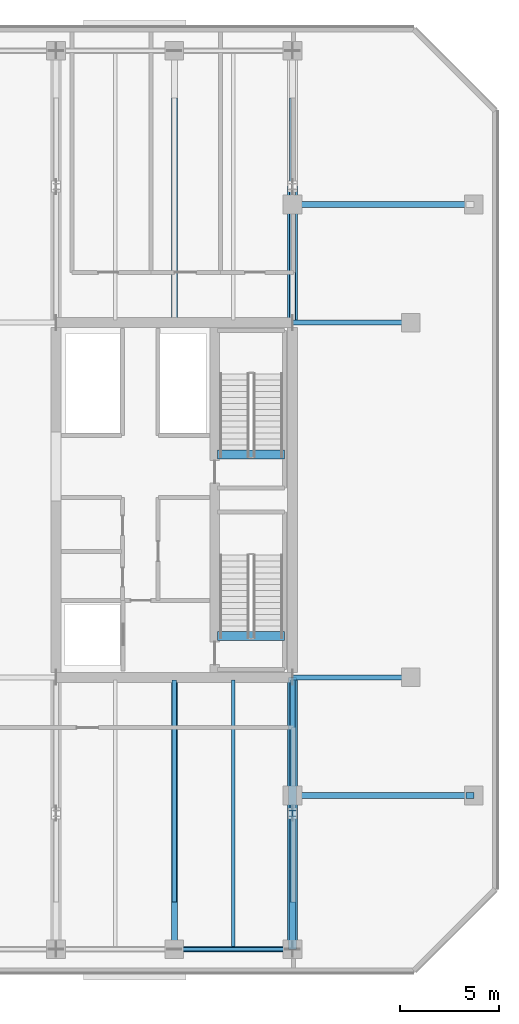
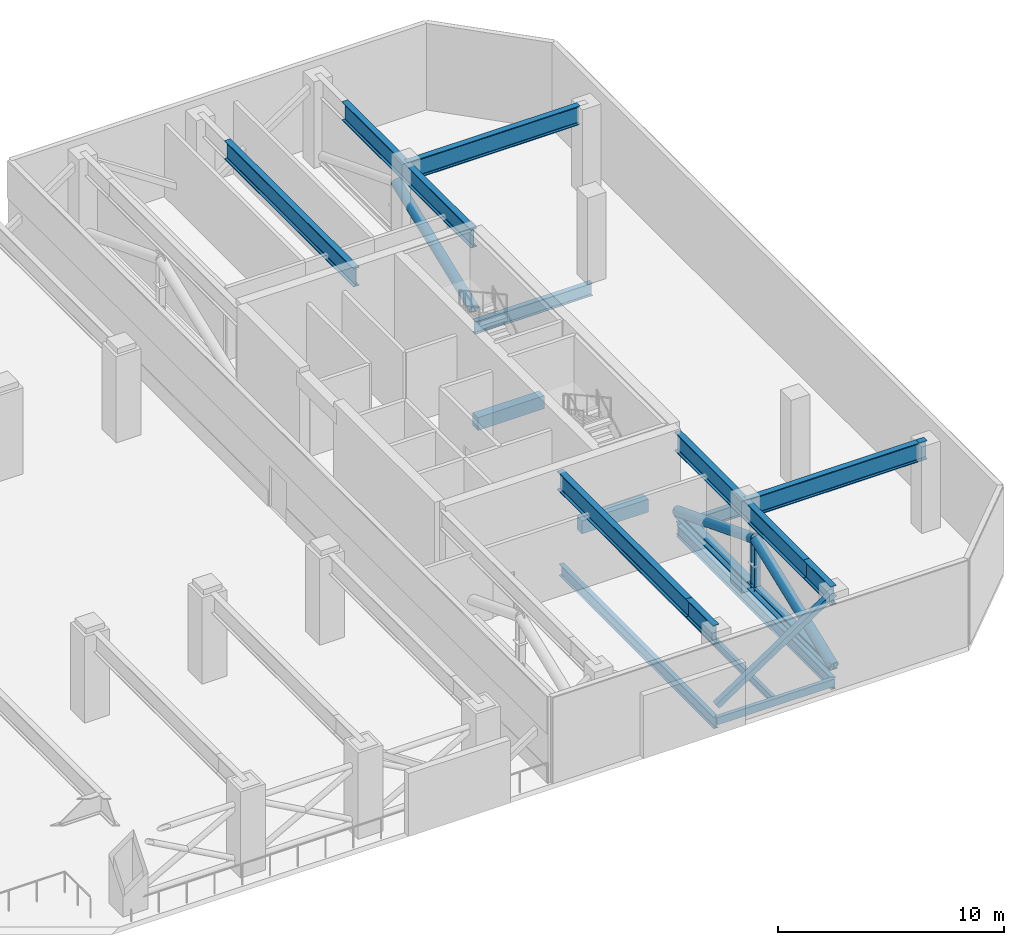
# One storey, part 7 of 21: 17 beams, 6 members.
"""IFC4 building model written with IfcOpenShell, lengths in metres."""

from ifc_helpers import new_model, si_unit, direction, frame, origin, origin_2d, place, context, subcontext, project, spatial, rectangle, hollow_rectangle, hollow_circle, i_section, extrude, material, material_profile, profile_set, type_object, element, save


model = new_model("IFC4")

# Units and contexts
model_context = context("Model", 3, precision=1e-05, world=origin(), true_north=direction((0.0, 1.0)))
body_context = subcontext(model_context, "Body", "Model", "MODEL_VIEW")
ifc_project = project(units=[si_unit("LENGTHUNIT", "METRE"), si_unit("AREAUNIT", "SQUARE_METRE"), si_unit("VOLUMEUNIT", "CUBIC_METRE"), si_unit("PLANEANGLEUNIT", "RADIAN"), si_unit("MASSUNIT", "GRAM", prefix="KILO")], contexts=[model_context])

# Site, building, storey
site_placement = place(None, origin())
site = spatial("IfcSite", under=ifc_project, at=site_placement, CompositionType="ELEMENT")
building_placement = place(site_placement, origin())
building = spatial("IfcBuilding", under=site, at=building_placement, Name="Tanjung Sevakor Pilgrim Tower", CompositionType="ELEMENT")
storey_placement = place(building_placement, frame((0.0, 0.0, 123.090087890625)))
storey = spatial("IfcBuildingStorey", under=building, at=storey_placement, Name="L34", CompositionType="ELEMENT", Elevation=123.090087890625)

# Beams
ifc_material_1 = material(Name="Steel S355J2", Category="steel")
ifc_material_profile_1 = material_profile(ifc_material_1, i_section(OverallWidth=0.25439453125, OverallDepth=0.6875, WebThickness=0.01318359375, FlangeThickness=0.02099609375, FilletRadius=0.01513671875, at=origin_2d()))
ifc_profile_set_1 = profile_set([ifc_material_profile_1], Name="Steel S355J2")
beam_type_1 = type_object("IfcBeamType", Name="BM-B-G2-UB_686x254x152", PredefinedType="BEAM", material=ifc_profile_set_1)
for number, where, z_axis, x_axis, name in (
    (1, (90.0, 24.60009765625, -0.623779296875), (1.0, 0.0, 0.0), (0.0, 1.0, 0.0), "L34 Primary Floor Girder MAIN Y246-09"),
    (2, (90.0, 42.60009765625, -0.623779296875), (1.0, 0.0, 0.0), (0.0, 1.0, 0.0), "L34 Primary Floor Girder MAIN Y426-09"),
):
    element("IfcBeam", number, at=place(storey_placement, frame(where, z_axis=z_axis, x_axis=x_axis)), inside=storey, type_object=beam_type_1, Name=name, PredefinedType="BEAM", context=body_context, shape_type="SweptSolid", body=[
        extrude(i_section(OverallWidth=0.25439453125, OverallDepth=0.6875, WebThickness=0.01318359375, FlangeThickness=0.02099609375, FilletRadius=0.01513671875, at=origin_2d()), origin(), (0.0, 0.0, 1.0), 6.0),
    ])
ifc_material_2 = material(Name="Steel S355J2", Category="steel")
ifc_material_profile_2 = material_profile(ifc_material_2, i_section(OverallWidth=0.230224609375, OverallDepth=0.6171875, WebThickness=0.01318359375, FlangeThickness=0.022216796875, FilletRadius=0.0126953125, at=origin_2d()))
ifc_profile_set_2 = profile_set([ifc_material_profile_2], Name="Steel S355J2")
beam_type_2 = type_object("IfcBeamType", Name="BM-B-G3-UB_610x229x140", PredefinedType="BEAM", material=ifc_profile_set_2)
for number, where, z_axis, x_axis, name in (
    (3, (84.0, 10.800048828125, -0.588623046875), (0.0, 1.0, 0.0), (-1.0, 0.0, 0.0), "L34 MAIN Girder 041"),
    (4, (90.0, 10.800048828125, -0.588623046875), (0.0, 1.0, 0.0), (-1.0, 0.0, 0.0), "L34 MAIN Girder 045"),
):
    element("IfcBeam", number, at=place(storey_placement, frame(where, z_axis=z_axis, x_axis=x_axis)), inside=storey, type_object=beam_type_2, Name=name, PredefinedType="BEAM", context=body_context, shape_type="SweptSolid", body=[
        extrude(i_section(OverallWidth=0.230224609375, OverallDepth=0.6171875, WebThickness=0.01318359375, FlangeThickness=0.022216796875, FilletRadius=0.0126953125, at=origin_2d()), origin(), (0.0, 0.0, 1.0), 13.672607421875),
    ])
ifc_material_3 = material(Name="Steel S460M", Category="steel")
ifc_material_profile_3 = material_profile(ifc_material_3, i_section(OverallWidth=0.302001953125, OverallDepth=1.008056640625, WebThickness=0.02099609375, FlangeThickness=0.0400390625, FilletRadius=0.030029296875, at=origin_2d()))
ifc_profile_set_3 = profile_set([ifc_material_profile_3], Name="Steel S460M")
beam_type_3 = type_object("IfcBeamType", Name="BM-B-G7-HE_1000M", PredefinedType="BEAM", material=ifc_profile_set_3)
beam_1_placement = place(storey_placement, frame((90.0, 18.60009765625, 4.166015625), z_axis=(1.0, 0.0, 0.0), x_axis=(0.0, 1.0, 0.0)))
element("IfcBeam", 5, at=beam_1_placement, inside=storey, type_object=beam_type_3, Name="L34 Short-End Setback Transfer Girder E Y18.6-1", PredefinedType="BEAM", context=body_context, shape_type="SweptSolid", body=[
    extrude(i_section(OverallWidth=0.302001953125, OverallDepth=1.008056640625, WebThickness=0.02099609375, FlangeThickness=0.0400390625, FilletRadius=0.030029296875, at=origin_2d()), origin(), (0.0, 0.0, 1.0), 8.800048828125),
])
beam_2_placement = place(storey_placement, frame((98.800048828125, 18.60009765625, 4.166015625), z_axis=(1.0, 0.0, 0.0), x_axis=(0.0, 1.0, 0.0)))
element("IfcBeam", 6, at=beam_2_placement, inside=storey, type_object=beam_type_3, Name="L34 Short-End Setback Transfer Girder E Y18.6-2", PredefinedType="BEAM", context=body_context, shape_type="SweptSolid", body=[
    extrude(i_section(OverallWidth=0.302001953125, OverallDepth=1.008056640625, WebThickness=0.02099609375, FlangeThickness=0.0400390625, FilletRadius=0.030029296875, at=origin_2d()), origin(), (0.0, 0.0, 1.0), 0.39990234375),
])
beam_3_placement = place(storey_placement, frame((90.0, 48.60009765625, 4.166015625), z_axis=(1.0, 0.0, 0.0), x_axis=(0.0, 1.0, 0.0)))
element("IfcBeam", 7, at=beam_3_placement, inside=storey, type_object=beam_type_3, Name="L34 Short-End Setback Transfer Girder E Y48.6-1", PredefinedType="BEAM", context=body_context, shape_type="SweptSolid", body=[
    extrude(i_section(OverallWidth=0.302001953125, OverallDepth=1.008056640625, WebThickness=0.02099609375, FlangeThickness=0.0400390625, FilletRadius=0.030029296875, at=origin_2d()), origin(), (0.0, 0.0, 1.0), 8.800048828125),
])
beam_4_placement = place(storey_placement, frame((84.0, 10.800048828125, 4.166015625), z_axis=(0.0, 1.0, 0.0), x_axis=(-1.0, 0.0, 0.0)))
element("IfcBeam", 8, at=beam_4_placement, inside=storey, type_object=beam_type_3, Name="L34 Setback Transfer Girder South X84-1", PredefinedType="BEAM", context=body_context, shape_type="SweptSolid", body=[
    extrude(i_section(OverallWidth=0.302001953125, OverallDepth=1.008056640625, WebThickness=0.02099609375, FlangeThickness=0.0400390625, FilletRadius=0.030029296875, at=origin_2d()), origin(), (0.0, 0.0, 1.0), 2.39990234375),
])
beam_5_placement = place(storey_placement, frame((84.0, 13.199951171875, 4.166015625), z_axis=(0.0, 1.0, 0.0), x_axis=(-1.0, 0.0, 0.0)))
element("IfcBeam", 9, at=beam_5_placement, inside=storey, type_object=beam_type_3, Name="L34 Setback Transfer Girder South X84-2", PredefinedType="BEAM", context=body_context, shape_type="SweptSolid", body=[
    extrude(i_section(OverallWidth=0.302001953125, OverallDepth=1.008056640625, WebThickness=0.02099609375, FlangeThickness=0.0400390625, FilletRadius=0.030029296875, at=origin_2d()), origin(), (0.0, 0.0, 1.0), 11.400146484375),
])
beam_6_placement = place(storey_placement, frame((84.0, 42.60009765625, 4.166015625), z_axis=(0.0, 1.0, 0.0), x_axis=(-1.0, 0.0, 0.0)))
element("IfcBeam", 10, at=beam_6_placement, inside=storey, type_object=beam_type_3, Name="L34 Setback Transfer Girder North X84-1", PredefinedType="BEAM", context=body_context, shape_type="SweptSolid", body=[
    extrude(i_section(OverallWidth=0.302001953125, OverallDepth=1.008056640625, WebThickness=0.02099609375, FlangeThickness=0.0400390625, FilletRadius=0.030029296875, at=origin_2d()), origin(), (0.0, 0.0, 1.0), 11.39990234375),
])
beam_7_placement = place(storey_placement, frame((90.0, 10.800048828125, 4.166015625), z_axis=(0.0, 1.0, 0.0), x_axis=(-1.0, 0.0, 0.0)))
element("IfcBeam", 11, at=beam_7_placement, inside=storey, type_object=beam_type_3, Name="L34 Setback Transfer Girder South X90-1", PredefinedType="BEAM", context=body_context, shape_type="SweptSolid", body=[
    extrude(i_section(OverallWidth=0.302001953125, OverallDepth=1.008056640625, WebThickness=0.02099609375, FlangeThickness=0.0400390625, FilletRadius=0.030029296875, at=origin_2d()), origin(), (0.0, 0.0, 1.0), 2.39990234375),
])
beam_8_placement = place(storey_placement, frame((90.0, 13.199951171875, 4.166015625), z_axis=(0.0, 1.0, 0.0), x_axis=(-1.0, 0.0, 0.0)))
element("IfcBeam", 12, at=beam_8_placement, inside=storey, type_object=beam_type_3, Name="L34 Setback Transfer Girder South X90-2", PredefinedType="BEAM", context=body_context, shape_type="SweptSolid", body=[
    extrude(i_section(OverallWidth=0.302001953125, OverallDepth=1.008056640625, WebThickness=0.02099609375, FlangeThickness=0.0400390625, FilletRadius=0.030029296875, at=origin_2d()), origin(), (0.0, 0.0, 1.0), 11.400146484375),
])
beam_9_placement = place(storey_placement, frame((90.0, 42.60009765625, 4.166015625), z_axis=(0.0, 1.0, 0.0), x_axis=(-1.0, 0.0, 0.0)))
element("IfcBeam", 13, at=beam_9_placement, inside=storey, type_object=beam_type_3, Name="L34 Setback Transfer Girder North X90-1", PredefinedType="BEAM", context=body_context, shape_type="SweptSolid", body=[
    extrude(i_section(OverallWidth=0.302001953125, OverallDepth=1.008056640625, WebThickness=0.02099609375, FlangeThickness=0.0400390625, FilletRadius=0.030029296875, at=origin_2d()), origin(), (0.0, 0.0, 1.0), 11.39990234375),
])
ifc_material_4 = material(Name="Steel S355J2", Category="steel")
ifc_material_profile_4 = material_profile(ifc_material_4, i_section(OverallWidth=0.1787109375, OverallDepth=0.409423828125, WebThickness=0.0087890625, FlangeThickness=0.014404296875, FilletRadius=0.01025390625, at=origin_2d()))
ifc_profile_set_4 = profile_set([ifc_material_profile_4], Name="Steel S355J2")
beam_type_4 = type_object("IfcBeamType", Name="BM-B-J3-UB_406x178x67", PredefinedType="JOIST", material=ifc_profile_set_4)
beam_10_placement = place(storey_placement, frame((87.0, 10.89990234375, -0.48486328125), z_axis=(0.0, 1.0, 0.0), x_axis=(-1.0, 0.0, 0.0)))
element("IfcBeam", 14, at=beam_10_placement, inside=storey, type_object=beam_type_4, Name="L34 MAIN Joist 043", PredefinedType="JOIST", context=body_context, shape_type="SweptSolid", body=[
    extrude(i_section(OverallWidth=0.1787109375, OverallDepth=0.409423828125, WebThickness=0.0087890625, FlangeThickness=0.014404296875, FilletRadius=0.01025390625, at=origin_2d()), origin(), (0.0, 0.0, 1.0), 13.57275390625),
])
ifc_material_5 = material(Name="Concrete C60/75", Category="concrete")
ifc_material_profile_5 = material_profile(ifc_material_5, rectangle(XDim=0.449951171875, YDim=0.699951171875, at=origin_2d()))
ifc_profile_set_5 = profile_set([ifc_material_profile_5], Name="Concrete C60/75")
beam_type_5 = type_object("IfcBeamType", Name="BM-B-LN3-RC-BM_450x700", PredefinedType="LINTEL", material=ifc_profile_set_5)
for number, where, z_axis, x_axis, name in (
    (15, (86.199951171875, 26.699951171875, -0.35009765625), (1.0, 0.0, 0.0), (0.0, 1.0, 0.0), "L34 TS-E1 Stair Threshold Beam"),
    (16, (86.199951171875, 35.89990234375, -0.35009765625), (1.0, 0.0, 0.0), (0.0, 1.0, 0.0), "L34 TS-E2 Stair Threshold Beam"),
):
    element("IfcBeam", number, at=place(storey_placement, frame(where, z_axis=z_axis, x_axis=x_axis)), inside=storey, type_object=beam_type_5, Name=name, PredefinedType="LINTEL", context=body_context, shape_type="SweptSolid", body=[
        extrude(rectangle(XDim=0.449951171875, YDim=0.699951171875, at=origin_2d()), origin(), (0.0, 0.0, 1.0), 3.400146484375),
    ])
ifc_material_6 = material(Name="Steel S355J2", Category="steel")
ifc_material_profile_6 = material_profile(ifc_material_6, hollow_rectangle(XDim=0.199951171875, YDim=0.39990234375, WallThickness=0.01611328125, at=origin_2d()))
ifc_profile_set_6 = profile_set([ifc_material_profile_6], Name="Steel S355J2")
beam_type_6 = type_object("IfcBeamType", Name="BM-B-SP2-RHS_400x200x16", PredefinedType="SPANDREL", material=ifc_profile_set_6)
beam_11_placement = place(storey_placement, frame((84.0, 10.800048828125, -0.47998046875), z_axis=(1.0, 0.0, 0.0), x_axis=(0.0, 1.0, 0.0)))
element("IfcBeam", 17, at=beam_11_placement, inside=storey, type_object=beam_type_6, Name="L34 Spandrel MAIN S-17", PredefinedType="SPANDREL", context=body_context, shape_type="SweptSolid", body=[
    extrude(hollow_rectangle(XDim=0.199951171875, YDim=0.39990234375, WallThickness=0.01611328125, at=origin_2d()), origin(), (0.0, 0.0, 1.0), 6.0),
])

# Members
ifc_material_7 = material(Name="Steel S460M", Category="steel")
ifc_material_profile_7 = material_profile(ifc_material_7, hollow_circle(Radius=0.25390625, WallThickness=0.02490234375, at=origin_2d()))
ifc_profile_set_7 = profile_set([ifc_material_profile_7], Name="Steel S460M")
member_type_1 = type_object("IfcMemberType", Name="MEM-M-BR3-CHS_508x25", PredefinedType="BRACE", material=ifc_profile_set_7)
member_1_placement = place(storey_placement, frame((90.0, 10.800048828125, 0.349853515625), z_axis=(0.0, 0.93170119451, 0.363225665597), x_axis=(-1.0, 0.0, 0.0)))
element("IfcMember", 18, at=member_1_placement, inside=storey, type_object=member_type_1, Name="OT-2 L34 Outrigger Truss Diagonal 1 X90 S", PredefinedType="BRACE", context=body_context, shape_type="SweptSolid", body=[
    extrude(hollow_circle(Radius=0.25390625, WallThickness=0.02490234375, at=origin_2d()), origin(), (0.0, 0.0, 1.0), 7.40576171875),
])
member_2_placement = place(storey_placement, frame((90.0, 17.699951171875, 3.039794921875), z_axis=(0.0, 0.931705543684, -0.36321450944), x_axis=(-1.0, 0.0, 0.0)))
element("IfcMember", 19, at=member_2_placement, inside=storey, type_object=member_type_1, Name="OT-2 L34 Outrigger Truss Diagonal 2 X90 S", PredefinedType="BRACE", context=body_context, shape_type="SweptSolid", body=[
    extrude(hollow_circle(Radius=0.25390625, WallThickness=0.02490234375, at=origin_2d()), origin(), (0.0, 0.0, 1.0), 7.406005859375),
])
member_3_placement = place(storey_placement, frame((90.0, 42.60009765625, 0.349853515625), z_axis=(0.0, 0.93170119451, 0.363225665597), x_axis=(-1.0, 0.0, 0.0)))
element("IfcMember", 20, at=member_3_placement, inside=storey, type_object=member_type_1, Name="OT-2 L34 Outrigger Truss Diagonal 1 X90 N", PredefinedType="BRACE", context=body_context, shape_type="SweptSolid", body=[
    extrude(hollow_circle(Radius=0.25390625, WallThickness=0.02490234375, at=origin_2d()), origin(), (0.0, 0.0, 1.0), 7.40576171875),
])
ifc_material_8 = material(Name="Steel S460M", Category="steel")
ifc_material_profile_8 = material_profile(ifc_material_8, hollow_rectangle(XDim=0.300048828125, YDim=0.300048828125, WallThickness=0.01611328125, at=origin_2d()))
ifc_profile_set_8 = profile_set([ifc_material_profile_8], Name="Steel S460M")
member_type_2 = type_object("IfcMemberType", Name="MEM-M-BR8-SHS_300x300x16", PredefinedType="BRACE", material=ifc_profile_set_8)
member_4_placement = place(storey_placement, frame((84.0, 10.800048828125, 0.349853515625), z_axis=(0.832940851568, 0.0, 0.553362031395), x_axis=(0.0, 1.0, 0.0)))
element("IfcMember", 21, at=member_4_placement, inside=storey, type_object=member_type_2, Name="BT-1 L34 Belt Truss Diagonal Brace S-07", PredefinedType="BRACE", context=body_context, shape_type="SweptSolid", body=[
    extrude(hollow_rectangle(XDim=0.300048828125, YDim=0.300048828125, WallThickness=0.01611328125, at=origin_2d()), origin(), (0.0, 0.0, 1.0), 7.203369140625),
])
ifc_material_9 = material(Name="Steel S460M", Category="steel")
ifc_material_profile_9 = material_profile(ifc_material_9, i_section(OverallWidth=0.39892578125, OverallDepth=0.3935546875, WebThickness=0.022705078125, FlangeThickness=0.03662109375, FilletRadius=0.01513671875, at=origin_2d()))
ifc_profile_set_9 = profile_set([ifc_material_profile_9], Name="Steel S460M")
member_type_3 = type_object("IfcMemberType", Name="MEM-M-CH3-UC_356x406x287", PredefinedType="CHORD", material=ifc_profile_set_9)
member_5_placement = place(storey_placement, frame((90.0, 10.800048828125, 0.349853515625), z_axis=(0.0, 1.0, 0.0), x_axis=(-1.0, 0.0, 0.0)))
element("IfcMember", 22, at=member_5_placement, inside=storey, type_object=member_type_3, Name="OT-1 L34 Outrigger Truss Chord X90 S", PredefinedType="CHORD", context=body_context, shape_type="SweptSolid", body=[
    extrude(i_section(OverallWidth=0.39892578125, OverallDepth=0.3935546875, WebThickness=0.022705078125, FlangeThickness=0.03662109375, FilletRadius=0.01513671875, at=origin_2d()), origin(), (0.0, 0.0, 1.0), 13.800048828125),
])
ifc_material_10 = material(Name="Steel S460M", Category="steel")
ifc_material_profile_10 = material_profile(ifc_material_10, i_section(OverallWidth=0.30908203125, OverallDepth=0.320556640625, WebThickness=0.013916015625, FlangeThickness=0.021728515625, FilletRadius=0.01513671875, at=origin_2d()))
ifc_profile_set_10 = profile_set([ifc_material_profile_10], Name="Steel S460M")
member_type_4 = type_object("IfcMemberType", Name="MEM-M-ST3-UC_305x305x137", PredefinedType="STRUT", material=ifc_profile_set_10)
member_6_placement = place(storey_placement, frame((90.0, 17.699951171875, 0.349853515625), z_axis=(0.0, 0.0, 1.0), x_axis=(1.0, 0.0, 0.0)))
element("IfcMember", 23, at=member_6_placement, inside=storey, type_object=member_type_4, Name="OT-3 L34 Outrigger Truss Strut X90 S", PredefinedType="STRUT", context=body_context, shape_type="SweptSolid", body=[
    extrude(i_section(OverallWidth=0.30908203125, OverallDepth=0.320556640625, WebThickness=0.013916015625, FlangeThickness=0.021728515625, FilletRadius=0.01513671875, at=origin_2d()), origin(), (0.0, 0.0, 1.0), 2.68994140625),
])

save(model, "model.ifc")
